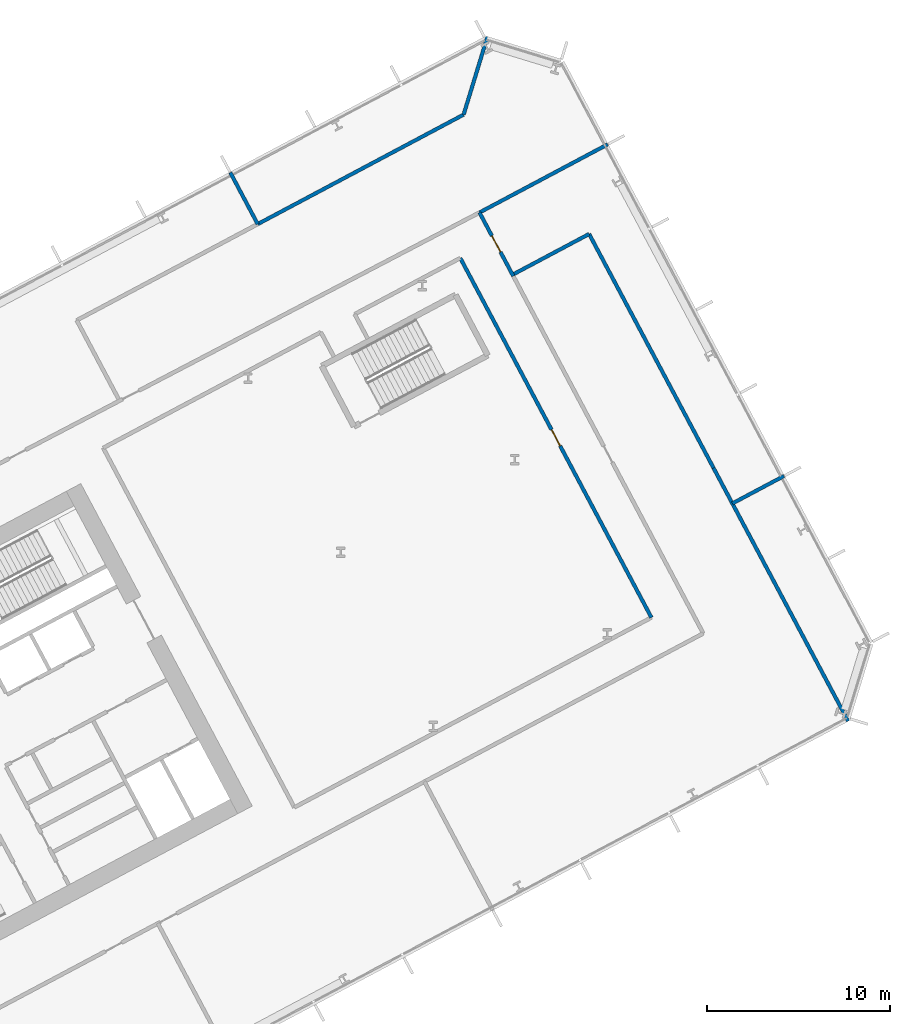
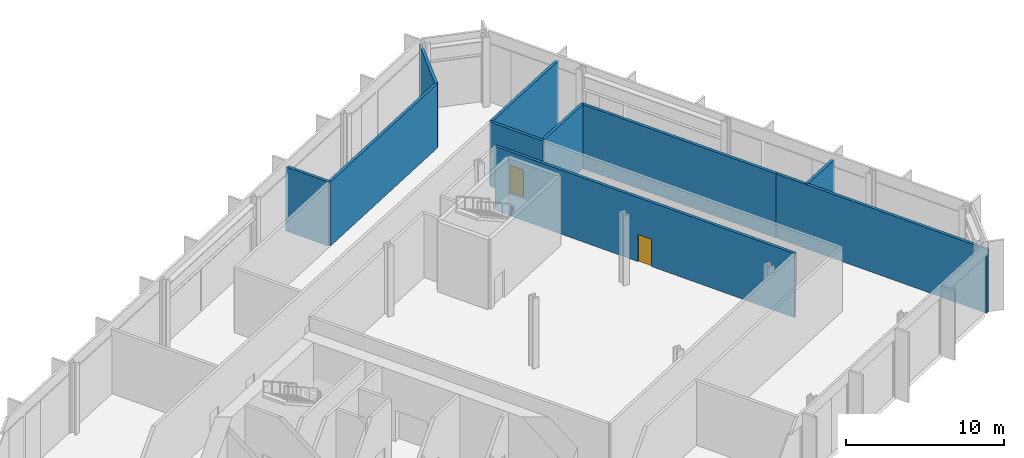
# One storey, part 17 of 32: 10 walls, 2 doors, 2 openings.
"""IFC4 building model written with IfcOpenShell, lengths in metres."""

from ifc_helpers import new_model, si_unit, direction, frame, frame_2d, origin, place, context, subcontext, project, spatial, rectangle, extrude, material, layer, layer_set, type_object, element, fill, save


model = new_model("IFC4")

# Units and contexts
model_context = context("Model", 3, precision=1e-05, world=origin(), true_north=direction((0.0, 1.0)))
body_context = subcontext(model_context, "Body", "Model", "MODEL_VIEW")
ifc_project = project(units=[si_unit("LENGTHUNIT", "METRE"), si_unit("AREAUNIT", "SQUARE_METRE"), si_unit("VOLUMEUNIT", "CUBIC_METRE"), si_unit("PLANEANGLEUNIT", "RADIAN"), si_unit("MASSUNIT", "GRAM", prefix="KILO")], contexts=[model_context])

# Site, building, storey
site_placement = place(None, origin())
site = spatial("IfcSite", under=ifc_project, at=site_placement, CompositionType="ELEMENT")
building_placement = place(site_placement, origin())
building = spatial("IfcBuilding", under=site, at=building_placement, Name="Cormorant Relay Tower", CompositionType="ELEMENT")
storey_placement = place(building_placement, frame((0.0, 0.0, 17.60009765625)))
storey = spatial("IfcBuildingStorey", under=building, at=storey_placement, Name="L03", CompositionType="ELEMENT", Elevation=17.60009765625)

# Walls
ifc_material_1 = material(Name="Fire-rated gypsum board partition")
ifc_layer = layer(ifc_material_1, 0.199951171875)
ifc_layer_set = layer_set([ifc_layer], Name="Fire-rated gypsum partition 200")
wall_type = type_object("IfcWallType", Name="Fire-rated gypsum partition 200", PredefinedType="PARTITIONING", material=ifc_layer_set)
wall_1_placement = place(storey_placement, frame((37.0439453125, 43.70703125, 0.0), z_axis=(0.0, 0.0, 1.0), x_axis=(0.469447181805, -0.882960556025, 0.0)))
element("IfcWall", 1, at=wall_1_placement, inside=storey, type_object=wall_type, Name="wall/L03/part/57", PredefinedType="PARTITIONING", context=body_context, shape_type="SweptSolid", body=[
    extrude(rectangle(XDim=3.199462890625, YDim=0.199951171875, at=frame_2d((1.599609375, 0.0))), origin(), (0.0, 0.0, 1.0), 4.949951171875),
])
wall_2_placement = place(storey_placement, frame((38.5458984375, 40.882080078125, 0.0), z_axis=(0.0, 0.0, 1.0), x_axis=(0.882973874067, 0.469422131685, 0.0)))
element("IfcWall", 2, at=wall_2_placement, inside=storey, type_object=wall_type, Name="wall/L03/part/58", PredefinedType="PARTITIONING", context=body_context, shape_type="SweptSolid", body=[
    extrude(rectangle(XDim=12.77294921875, YDim=0.199951171875, at=frame_2d((6.386474609375, 0.0))), origin(), (0.0, 0.0, 1.0), 4.949951171875),
])
wall_3_placement = place(storey_placement, frame((49.823974609375, 46.8779296875, 0.0), z_axis=(0.0, 0.0, 1.0), x_axis=(0.29242717897, 0.956287794024, 0.0)))
element("IfcWall", 3, at=wall_3_placement, inside=storey, type_object=wall_type, Name="wall/L03/part/59", PredefinedType="PARTITIONING", context=body_context, shape_type="SweptSolid", body=[
    extrude(rectangle(XDim=4.458984375, YDim=0.199951171875, at=frame_2d((2.2294921875, 0.0))), origin(), (0.0, 0.0, 1.0), 4.949951171875),
])

# Wall, opening, door
wall_4_placement = place(storey_placement, frame((49.64111328125, 39.02294921875, 0.0), z_axis=(0.0, 0.0, 1.0), x_axis=(0.469459906809, -0.882953790353, 0.0)))
wall_4 = element("IfcWall", 4, at=wall_4_placement, inside=storey, type_object=wall_type, Name="wall/L03/part/62", PredefinedType="PARTITIONING", context=body_context, shape_type="SweptSolid", body=[
    extrude(rectangle(XDim=22.300048828125, YDim=0.199951171875, at=frame_2d((11.14990234375, 0.0))), origin(), (0.0, 0.0, 1.0), 4.949951171875),
])
opening_1_placement = place(wall_4_placement, frame((10.64990234375, 0.0, 0.0)))
opening_1 = element("IfcOpeningElement", 5, at=opening_1_placement, cuts=wall_4, Name="Opening FD1-021", PredefinedType="OPENING", context=body_context, shape_type="SweptSolid", body=[
    extrude(rectangle(XDim=1.0, YDim=2.10009765625, at=frame_2d((0.5, 1.050048828125))), frame((0.0, 0.10986328125, 0.0), z_axis=(0.0, -1.0, 0.0), x_axis=(1.0, 0.0, 0.0)), (0.0, 0.0, 1.0), 0.219970703125),
])
ifc_material_2 = material(Name="Fire-rated steel door", Category="steel")
door_type = type_object("IfcDoorType", Name="Fire door 1000 x 2100", OperationType="SINGLE_SWING_LEFT", PredefinedType="DOOR", material=ifc_material_2)
door_1_placement = place(opening_1_placement, origin())
door_1 = element("IfcDoor", 6, at=door_1_placement, inside=storey, type_object=door_type, Name="door/L03/24", OperationType="SINGLE_SWING_LEFT", OverallHeight=2.10009765625, OverallWidth=1.0, PredefinedType="DOOR", context=body_context, shape_type="SweptSolid", body=[
    extrude(rectangle(XDim=1.0, YDim=2.10009765625, at=frame_2d((0.5, 1.050048828125))), frame((0.0, 0.02490234375, 0.0), z_axis=(0.0, -1.0, 0.0), x_axis=(1.0, 0.0, 0.0)), (0.0, 0.0, 1.0), 0.050048828125),
])
fill(opening_1, door_1)

wall_5_placement = place(storey_placement, frame((50.693115234375, 41.51611328125, 0.0), z_axis=(0.0, 0.0, 1.0), x_axis=(0.469428212836, -0.882970641071, 0.0)))
wall_5 = element("IfcWall", 7, at=wall_5_placement, inside=storey, type_object=wall_type, Name="wall/L03/part/69", PredefinedType="PARTITIONING", context=body_context, shape_type="SweptSolid", body=[
    extrude(rectangle(XDim=3.94482421875, YDim=0.199951171875, at=frame_2d((1.972412109375, 0.0))), origin(), (0.0, 0.0, 1.0), 4.949951171875),
])
opening_2_placement = place(wall_5_placement, frame((1.449951171875, 0.0, 0.0)))
opening_2 = element("IfcOpeningElement", 8, at=opening_2_placement, cuts=wall_5, Name="Opening FD1-026", PredefinedType="OPENING", context=body_context, shape_type="SweptSolid", body=[
    extrude(rectangle(XDim=1.0, YDim=2.10009765625, at=frame_2d((0.5, 1.050048828125))), frame((0.0, 0.10986328125, 0.0), z_axis=(0.0, -1.0, 0.0), x_axis=(1.0, 0.0, 0.0)), (0.0, 0.0, 1.0), 0.219970703125),
])
door_2_placement = place(opening_2_placement, origin())
door_2 = element("IfcDoor", 9, at=door_2_placement, inside=storey, type_object=door_type, Name="door/L03/7", OperationType="SINGLE_SWING_RIGHT", OverallHeight=2.10009765625, OverallWidth=1.0, PredefinedType="DOOR", context=body_context, shape_type="SweptSolid", body=[
    extrude(rectangle(XDim=1.0, YDim=2.10009765625, at=frame_2d((0.5, 1.050048828125))), frame((0.0, 0.02490234375, 0.0), z_axis=(0.0, -1.0, 0.0), x_axis=(1.0, 0.0, 0.0)), (0.0, 0.0, 1.0), 0.050048828125),
])
fill(opening_2, door_2)

# Walls
wall_6_placement = place(storey_placement, frame((57.712890625, 45.248046875, 0.0), z_axis=(0.0, 0.0, 1.0), x_axis=(-0.882976121624, -0.46941790405, 0.0)))
element("IfcWall", 10, at=wall_6_placement, inside=storey, type_object=wall_type, Name="wall/L03/part/70", PredefinedType="PARTITIONING", context=body_context, shape_type="SweptSolid", body=[
    extrude(rectangle(XDim=7.9501953125, YDim=0.199951171875, at=frame_2d((3.97509765625, 0.0))), origin(), (0.0, 0.0, 1.0), 4.949951171875),
])
wall_7_placement = place(storey_placement, frame((52.52001953125, 38.117919921875, 0.0), z_axis=(0.0, 0.0, 1.0), x_axis=(0.882886497292, 0.469586448802, 0.0)))
element("IfcWall", 11, at=wall_7_placement, inside=storey, type_object=wall_type, Name="wall/L03/part/71", PredefinedType="PARTITIONING", context=body_context, shape_type="SweptSolid", body=[
    extrude(rectangle(XDim=4.732177734375, YDim=0.199951171875, at=frame_2d((2.3662109375, 0.0))), origin(), (0.0, 0.0, 1.0), 4.949951171875),
])
wall_8_placement = place(storey_placement, frame((56.697998046875, 40.340087890625, 0.0), z_axis=(0.0, 0.0, 1.0), x_axis=(0.469433248113, -0.882967964065, 0.0)))
element("IfcWall", 12, at=wall_8_placement, inside=storey, type_object=wall_type, Name="wall/L03/part/72", PredefinedType="PARTITIONING", context=body_context, shape_type="SweptSolid", body=[
    extrude(rectangle(XDim=14.509033203125, YDim=0.199951171875, at=frame_2d((7.25439453125, 0.0))), origin(), (0.0, 0.0, 1.0), 4.949951171875),
])
wall_9_placement = place(storey_placement, frame((63.509033203125, 27.529052734375, 0.0), z_axis=(0.0, 0.0, 1.0), x_axis=(0.469480983661, -0.882942583627, 0.0)))
element("IfcWall", 13, at=wall_9_placement, inside=storey, type_object=wall_type, Name="wall/L03/part/73", PredefinedType="PARTITIONING", context=body_context, shape_type="SweptSolid", body=[
    extrude(rectangle(XDim=15.706787109375, YDim=0.199951171875, at=frame_2d((7.853515625, 0.0))), origin(), (0.0, 0.0, 1.0), 4.949951171875),
])
wall_10_placement = place(storey_placement, frame((67.3701171875, 27.0849609375, 0.0), z_axis=(0.0, 0.0, 1.0), x_axis=(-0.882918137105, -0.469526956809, 0.0)))
element("IfcWall", 14, at=wall_10_placement, inside=storey, type_object=wall_type, Name="wall/L03/part/74", PredefinedType="PARTITIONING", context=body_context, shape_type="SweptSolid", body=[
    extrude(rectangle(XDim=3.200927734375, YDim=0.199951171875, at=frame_2d((1.6005859375, 0.0))), origin(), (0.0, 0.0, 1.0), 4.949951171875),
])

save(model, "model.ifc")
